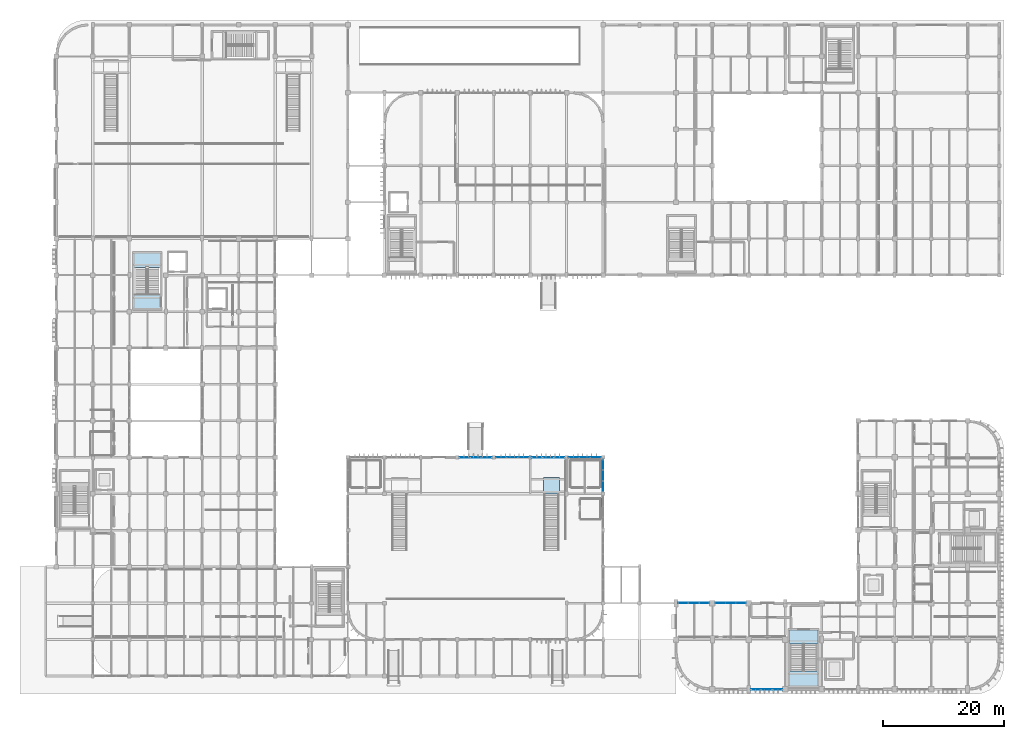
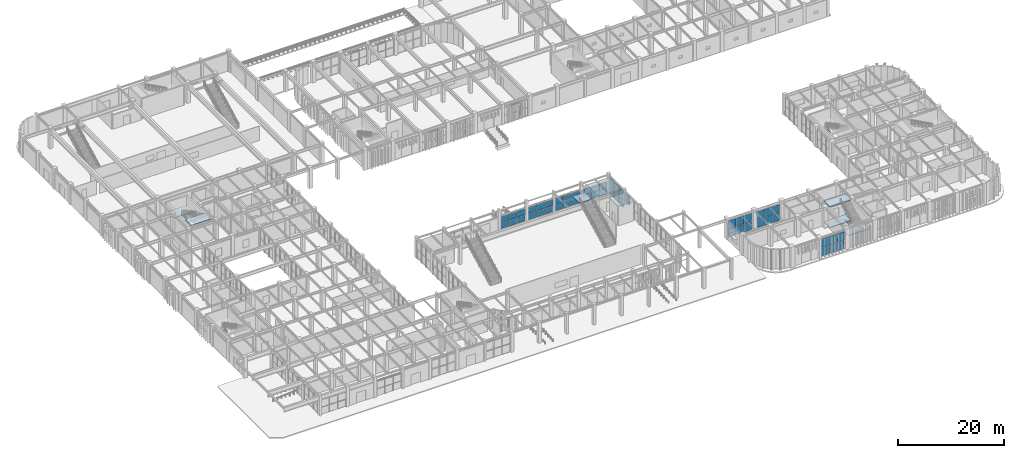
# One storey, part 36 of 76: 49 plates, 6 slabs, 12 elements without a shape of their own.
"""IFC4 building model written with IfcOpenShell, lengths in metres."""

import ifcopenshell
import ifcopenshell.guid

model = None  # the IFC model being written
_history = None  # IfcOwnerHistory: only IFC2X3 demands one
_inside = {}  # id of a spatial element -> (the spatial element, [elements in it])
_under = {}  # id of a project, library or spatial element -> (it, [spatial elements below it])
_declared = {}  # id of a project -> (the project, [libraries it declares])
_typed = {}  # id of a type object -> (the type object, [elements of that type])
_made_of = {}  # id of a material, layer set ... -> (it, [elements and type objects made of it])


def new_model(schema):
    """Start an empty IFC model of exactly this schema.

    Asked for "IFC4X3", IfcOpenShell would pick the latest addendum, in which some entities
    have other attributes; the version numbers below select the first issue.
    IFC2X3 requires an IfcOwnerHistory on every rooted entity: one is made here for all.
    """
    global model, _history
    if schema == "IFC4X3":
        model = ifcopenshell.file(schema_version=(4, 3, 0, 0))
    else:
        model = ifcopenshell.file(schema=schema)
    _inside.clear()
    _under.clear()
    _declared.clear()
    _typed.clear()
    _made_of.clear()
    _history = None
    if model.schema == "IFC2X3":
        org = make("IfcOrganization", Name="unknown")
        user = make(
            "IfcPersonAndOrganization",
            ThePerson=make("IfcPerson", FamilyName="unknown"),
            TheOrganization=org,
        )
        app = make(
            "IfcApplication",
            ApplicationDeveloper=org,
            Version="unknown",
            ApplicationFullName="unknown",
            ApplicationIdentifier="unknown",
        )
        _history = make(
            "IfcOwnerHistory",
            OwningUser=user,
            OwningApplication=app,
            ChangeAction="ADDED",
            CreationDate=0,
        )
    return model


def make(cls, **values):
    """One entity of the class cls with the attributes given. An attribute that is None is left unset."""
    return model.create_entity(
        cls, **{name: value for name, value in values.items() if value is not None}
    )


def rooted(cls, **values):
    """An entity with a GlobalId (a new one), such as an element, a storey or a relation."""
    return make(cls, GlobalId=ifcopenshell.guid.new(), OwnerHistory=_history, **values)


def si_unit(unit_type, name, prefix=None):
    """IfcSIUnit, for example si_unit("LENGTHUNIT", "METRE", prefix="MILLI")."""
    return make("IfcSIUnit", UnitType=unit_type, Prefix=prefix, Name=name)


def assignment(units):
    """IfcUnitAssignment: the units of a project."""
    return None if units is None else make("IfcUnitAssignment", Units=units)


def point(xyz):
    """IfcCartesianPoint."""
    return None if xyz is None else make("IfcCartesianPoint", Coordinates=xyz)


def direction(xyz):
    """IfcDirection."""
    return None if xyz is None else make("IfcDirection", DirectionRatios=xyz)


def frame(location, z_axis=None, x_axis=None):
    """IfcAxis2Placement3D, a coordinate frame: its origin and axes. An axis left out is left unset."""
    return make(
        "IfcAxis2Placement3D",
        Location=point(location),
        Axis=direction(z_axis),
        RefDirection=direction(x_axis),
    )


def frame_2d(location, x_axis=None):
    """IfcAxis2Placement2D, a coordinate frame in the plane: its origin and x axis."""
    return make(
        "IfcAxis2Placement2D", Location=point(location), RefDirection=direction(x_axis)
    )


def origin():
    """The frame at (0, 0, 0) with its axes left unset."""
    return frame((0.0, 0.0, 0.0))


def origin_2d():
    """The frame at (0, 0) in the plane with its x axis left unset."""
    return frame_2d((0.0, 0.0))


def place(relative_to, where):
    """IfcLocalPlacement: puts the frame where relative to a parent placement (None: the world)."""
    return make(
        "IfcLocalPlacement", PlacementRelTo=relative_to, RelativePlacement=where
    )


def context(
    kind, dimensions, precision=None, world=None, true_north=None, identifier=None
):
    """IfcGeometricRepresentationContext, for example the 3D "Model" context."""
    return make(
        "IfcGeometricRepresentationContext",
        ContextIdentifier=identifier,
        ContextType=kind,
        CoordinateSpaceDimension=dimensions,
        Precision=precision,
        WorldCoordinateSystem=world,
        TrueNorth=true_north,
    )


def subcontext(parent, identifier, kind, view, scale=None):
    """IfcGeometricRepresentationSubContext, for example "Body" below "Model"."""
    return make(
        "IfcGeometricRepresentationSubContext",
        ContextIdentifier=identifier,
        ContextType=kind,
        ParentContext=parent,
        TargetScale=scale,
        TargetView=view,
    )


def project(units=None, contexts=None):
    """IfcProject with its units and contexts."""
    return rooted(
        "IfcProject",
        Name="project",
        RepresentationContexts=contexts,
        UnitsInContext=assignment(units),
    )


def spatial(cls, under=None, at=None, **own):
    """A site, building, storey or space (cls), placed at a placement, below another one or the project."""
    s = rooted(cls, ObjectPlacement=at, **own)
    if under is not None:
        _under.setdefault(under.id(), (under, []))[1].append(s)
    return s


def polyline(points):
    """IfcPolyline through the points."""
    return make("IfcPolyline", Points=[point(p) for p in points])


def profile(cls, at=None, kind="AREA", **sizes):
    """A parametric profile (cls). Its sizes go by their IFC names, for example OverallWidth=200.0."""
    return make(cls, ProfileType=kind, Position=at, **sizes)


def rectangle(**sizes):
    """IfcRectangleProfileDef."""
    return profile("IfcRectangleProfileDef", **sizes)


def outline(outer, holes=None, kind="AREA"):
    """IfcArbitraryClosedProfileDef: a profile drawn as a closed curve; with holes, ...WithVoids."""
    if holes is None:
        return make("IfcArbitraryClosedProfileDef", ProfileType=kind, OuterCurve=outer)
    return make(
        "IfcArbitraryProfileDefWithVoids",
        ProfileType=kind,
        OuterCurve=outer,
        InnerCurves=holes,
    )


def extrude(swept, where, along, depth):
    """IfcExtrudedAreaSolid: the profile swept, set in the frame where, extruded along a direction by depth."""
    return make(
        "IfcExtrudedAreaSolid",
        SweptArea=swept,
        Position=where,
        ExtrudedDirection=direction(along),
        Depth=depth,
    )


def shape(context_of_items, identifier, shape_type, items):
    """IfcShapeRepresentation: the items that make up one representation, for example the "Body"."""
    return make(
        "IfcShapeRepresentation",
        ContextOfItems=context_of_items,
        RepresentationIdentifier=identifier,
        RepresentationType=shape_type,
        Items=items,
    )


def material(Name=None, Category=None):
    """IfcMaterial."""
    return make("IfcMaterial", Name=Name, Category=Category)


def layer(
    of_material, thickness, ventilated=None, Name=None, Category=None, Priority=None
):
    """IfcMaterialLayer: one layer of a wall or slab, of a material (None: an air gap)."""
    return make(
        "IfcMaterialLayer",
        Material=of_material,
        LayerThickness=thickness,
        IsVentilated=ventilated,
        Name=Name,
        Category=Category,
        Priority=Priority,
    )


def layer_set(layers, Name=None):
    """IfcMaterialLayerSet."""
    return make("IfcMaterialLayerSet", MaterialLayers=layers, LayerSetName=Name)


def made_of(thing, what):
    """Note that an element or type object is made of a material, layer set ...; save() writes the relation."""
    if what is not None:
        _made_of.setdefault(what.id(), (what, []))[1].append(thing)
    return thing


def type_object(cls, material=None, **own):
    """A type object (cls), such as IfcWallType, which elements share."""
    return made_of(rooted(cls, **own), material)


def element(
    cls,
    number,
    at=None,
    inside=None,
    cuts=None,
    type_object=None,
    material=None,
    context=None,
    identifier="Body",
    shape_type=None,
    held_by="IfcProductDefinitionShape",
    body=None,
    shapes=None,
    **own,
):
    """One element of the class cls, such as IfcWall. Its Tag is "e" and its number.

    at: its placement. inside: the storey or other place that contains it. cuts: it is an
    opening in that element (IfcRelVoidsElement). A single representation is given by context,
    identifier, shape_type and body (its items); several are given by shapes. held_by: the class
    of the entity that holds the representations. save() writes the other relations.
    """
    e = rooted(cls, Tag="e%d" % number, ObjectPlacement=at, **own)
    if body is not None:
        shapes = [shape(context, identifier, shape_type, body)]
    if shapes is not None:
        e.Representation = make(held_by, Representations=shapes)
    if inside is not None:
        _inside.setdefault(inside.id(), (inside, []))[1].append(e)
    if cuts is not None:
        rooted(
            "IfcRelVoidsElement", RelatingBuildingElement=cuts, RelatedOpeningElement=e
        )
    if type_object is not None:
        _typed.setdefault(type_object.id(), (type_object, []))[1].append(e)
    return made_of(e, material)


def aggregate(whole, parts):
    """IfcRelAggregates: a whole, such as a stair, and the parts it consists of."""
    return rooted("IfcRelAggregates", RelatingObject=whole, RelatedObjects=parts)


def save(model, path):
    """Write the relations noted so far, then the file.

    IfcRelAggregates (storeys below a building ...), IfcRelContainedInSpatialStructure (elements
    in a storey), IfcRelDefinesByType, IfcRelAssociatesMaterial and IfcRelDeclares: one each for
    every whole, place, type object, material and project.
    """
    for whole, parts in _under.values():
        aggregate(whole, parts)
    for where, things in _inside.values():
        rooted(
            "IfcRelContainedInSpatialStructure",
            RelatedElements=things,
            RelatingStructure=where,
        )
    for kind, things in _typed.values():
        rooted("IfcRelDefinesByType", RelatedObjects=things, RelatingType=kind)
    for what, things in _made_of.values():
        rooted("IfcRelAssociatesMaterial", RelatedObjects=things, RelatingMaterial=what)
    for by, libraries in _declared.values():
        rooted("IfcRelDeclares", RelatingContext=by, RelatedDefinitions=libraries)
    model.write(path)


model = new_model("IFC4")

# Units and contexts
model_context = context("Model", 3, precision=1e-05, world=origin(), true_north=direction((0.0, 1.0)))
body_context = subcontext(model_context, "Body", "Model", "MODEL_VIEW")
ifc_project = project(units=[si_unit("LENGTHUNIT", "METRE"), si_unit("AREAUNIT", "SQUARE_METRE"), si_unit("VOLUMEUNIT", "CUBIC_METRE"), si_unit("PLANEANGLEUNIT", "RADIAN"), si_unit("MASSUNIT", "GRAM", prefix="KILO")], contexts=[model_context])

# Site, building, storey
site_placement = place(None, origin())
site = spatial("IfcSite", under=ifc_project, at=site_placement, CompositionType="ELEMENT")
building_placement = place(site_placement, origin())
building = spatial("IfcBuilding", under=site, at=building_placement, Name="Varnakota Square Police Headquarters", CompositionType="ELEMENT")
storey_placement = place(building_placement, origin())
storey = spatial("IfcBuildingStorey", under=building, at=storey_placement, Name="L00", CompositionType="ELEMENT", Elevation=0.0)

# Curtain wall, plates
ifc_material_1 = material(Name="Anodised Aluminium Framing", Category="aluminium")
curtain_wall_type_1 = type_object("IfcCurtainWallType", Name="CW-SYS-A", PredefinedType="NOTDEFINED", material=ifc_material_1)
curtain_wall_1_placement = place(storey_placement, origin())
curtain_wall_1 = element("IfcCurtainWall", 1, at=curtain_wall_1_placement, inside=storey, type_object=curtain_wall_type_1, Name="Unitised curtain wall CWG-L00-007", PredefinedType="NOTDEFINED")
ifc_material_2 = material(Name="Solar-Control Laminated Double Glazing", Category="glass")
ifc_layer_1 = layer(ifc_material_2, 0.028076171875, Name="Solar-Control Laminated Double Glazing")
ifc_layer_set_1 = layer_set([ifc_layer_1], Name="Solar-Control Laminated Double Glazing")
plate_type_1 = type_object("IfcPlateType", Name="CWP-GLZ-28", PredefinedType="CURTAIN_PANEL", material=ifc_layer_set_1)
plate_1_placement = place(storey_placement, frame((91.219482421875, 39.0, 0.06494140625), z_axis=(0.0, 0.0, 1.0), x_axis=(1.0, 0.0, 0.0)))
plate_1 = element("IfcPlate", 2, at=plate_1_placement, type_object=plate_type_1, Name="CWG-L00-007 panel 1.1", PredefinedType="CURTAIN_PANEL", context=body_context, shape_type="SweptSolid", body=[
    extrude(rectangle(XDim=1.69921875, YDim=0.028076171875, at=origin_2d()), origin(), (0.0, 0.0, 1.0), 1.3974609375),
])
plate_2_placement = place(storey_placement, frame((93.0, 39.0, 0.06494140625), z_axis=(0.0, 0.0, 1.0), x_axis=(1.0, 0.0, 0.0)))
plate_2 = element("IfcPlate", 3, at=plate_2_placement, type_object=plate_type_1, Name="CWG-L00-007 panel 2.1", PredefinedType="CURTAIN_PANEL", context=body_context, shape_type="SweptSolid", body=[
    extrude(rectangle(XDim=1.731689453125, YDim=0.028076171875, at=origin_2d()), origin(), (0.0, 0.0, 1.0), 1.3974609375),
])
plate_3_placement = place(storey_placement, frame((94.780517578125, 39.0, 0.06494140625), z_axis=(0.0, 0.0, 1.0), x_axis=(1.0, 0.0, 0.0)))
plate_3 = element("IfcPlate", 4, at=plate_3_placement, type_object=plate_type_1, Name="CWG-L00-007 panel 3.1", PredefinedType="CURTAIN_PANEL", context=body_context, shape_type="SweptSolid", body=[
    extrude(rectangle(XDim=1.69921875, YDim=0.028076171875, at=origin_2d()), origin(), (0.0, 0.0, 1.0), 1.3974609375),
])

curtain_wall_2_placement = place(storey_placement, origin())
curtain_wall_2 = element("IfcCurtainWall", 5, at=curtain_wall_2_placement, inside=storey, type_object=curtain_wall_type_1, Name="Unitised curtain wall CWG-L00-015", PredefinedType="NOTDEFINED")
plate_4_placement = place(storey_placement, frame((96.0, 34.22216796875, 0.0751953125), z_axis=(0.0, 0.0, 1.0), x_axis=(0.0, 1.0, 0.0)))
plate_4 = element("IfcPlate", 6, at=plate_4_placement, type_object=plate_type_1, Name="CWG-L00-015 panel 1.1", PredefinedType="CURTAIN_PANEL", context=body_context, shape_type="SweptSolid", body=[
    extrude(rectangle(XDim=1.68408203125, YDim=0.028076171875, at=origin_2d()), origin(), (0.0, 0.0, 1.0), 1.907470703125),
])
plate_5_placement = place(storey_placement, frame((96.0, 36.0, 0.0751953125), z_axis=(0.0, 0.0, 1.0), x_axis=(0.0, 1.0, 0.0)))
plate_5 = element("IfcPlate", 7, at=plate_5_placement, type_object=plate_type_1, Name="CWG-L00-015 panel 2.1", PredefinedType="CURTAIN_PANEL", context=body_context, shape_type="SweptSolid", body=[
    extrude(rectangle(XDim=1.7216796875, YDim=0.028076171875, at=origin_2d()), origin(), (0.0, 0.0, 1.0), 1.907470703125),
])
plate_6_placement = place(storey_placement, frame((96.0, 37.77783203125, 0.0751953125), z_axis=(0.0, 0.0, 1.0), x_axis=(0.0, 1.0, 0.0)))
plate_6 = element("IfcPlate", 8, at=plate_6_placement, type_object=plate_type_1, Name="CWG-L00-015 panel 3.1", PredefinedType="CURTAIN_PANEL", context=body_context, shape_type="SweptSolid", body=[
    extrude(rectangle(XDim=1.68408203125, YDim=0.028076171875, at=origin_2d()), origin(), (0.0, 0.0, 1.0), 1.907470703125),
])

curtain_wall_3_placement = place(storey_placement, origin())
curtain_wall_3 = element("IfcCurtainWall", 9, at=curtain_wall_3_placement, inside=storey, type_object=curtain_wall_type_1, Name="Unitised curtain wall CWG-L00-004", PredefinedType="NOTDEFINED")
ifc_material_3 = material(Name="Acoustic Laminated Double Glazing", Category="glass")
ifc_layer_2 = layer(ifc_material_3, 0.031982421875, Name="Acoustic Laminated Double Glazing")
ifc_layer_set_2 = layer_set([ifc_layer_2], Name="Acoustic Laminated Double Glazing")
plate_type_2 = type_object("IfcPlateType", Name="CWP-GLZ-32", PredefinedType="CURTAIN_PANEL", material=ifc_layer_set_2)
plate_7_placement = place(storey_placement, frame((73.219482421875, 39.0, 0.06494140625), z_axis=(0.0, 0.0, 1.0), x_axis=(1.0, 0.0, 0.0)))
plate_7 = element("IfcPlate", 10, at=plate_7_placement, type_object=plate_type_2, Name="CWG-L00-004 panel 1.1", PredefinedType="CURTAIN_PANEL", context=body_context, shape_type="SweptSolid", body=[
    extrude(rectangle(XDim=1.69921875, YDim=0.031982421875, at=origin_2d()), origin(), (0.0, 0.0, 1.0), 1.37255859375),
])
plate_8_placement = place(storey_placement, frame((75.0, 39.0, 0.06494140625), z_axis=(0.0, 0.0, 1.0), x_axis=(1.0, 0.0, 0.0)))
plate_8 = element("IfcPlate", 11, at=plate_8_placement, type_object=plate_type_2, Name="CWG-L00-004 panel 2.1", PredefinedType="CURTAIN_PANEL", context=body_context, shape_type="SweptSolid", body=[
    extrude(rectangle(XDim=1.731689453125, YDim=0.031982421875, at=origin_2d()), origin(), (0.0, 0.0, 1.0), 1.37255859375),
])
plate_9_placement = place(storey_placement, frame((76.780517578125, 39.0, 0.06494140625), z_axis=(0.0, 0.0, 1.0), x_axis=(1.0, 0.0, 0.0)))
plate_9 = element("IfcPlate", 12, at=plate_9_placement, type_object=plate_type_2, Name="CWG-L00-004 panel 3.1", PredefinedType="CURTAIN_PANEL", context=body_context, shape_type="SweptSolid", body=[
    extrude(rectangle(XDim=1.69921875, YDim=0.031982421875, at=origin_2d()), origin(), (0.0, 0.0, 1.0), 1.37255859375),
])

curtain_wall_4_placement = place(storey_placement, origin())
curtain_wall_4 = element("IfcCurtainWall", 13, at=curtain_wall_4_placement, inside=storey, type_object=curtain_wall_type_1, Name="Unitised curtain wall CWG-L00-005", PredefinedType="NOTDEFINED")
ifc_material_4 = material(Name="Blast-Resistant Laminated Glazing", Category="glass")
ifc_layer_3 = layer(ifc_material_4, 0.035888671875, Name="Blast-Resistant Laminated Glazing")
ifc_layer_set_3 = layer_set([ifc_layer_3], Name="Blast-Resistant Laminated Glazing")
plate_type_3 = type_object("IfcPlateType", Name="CWP-GLZ-36", PredefinedType="CURTAIN_PANEL", material=ifc_layer_set_3)
plate_10_placement = place(storey_placement, frame((79.236328125, 39.0, 0.06494140625), z_axis=(0.0, 0.0, 1.0), x_axis=(1.0, 0.0, 0.0)))
plate_10 = element("IfcPlate", 14, at=plate_10_placement, type_object=plate_type_3, Name="CWG-L00-005 panel 1.1", PredefinedType="CURTAIN_PANEL", context=body_context, shape_type="SweptSolid", body=[
    extrude(rectangle(XDim=1.732421875, YDim=0.035888671875, at=origin_2d()), origin(), (0.0, 0.0, 1.0), 1.3974609375),
])
plate_11_placement = place(storey_placement, frame((81.050048828125, 39.0, 0.06494140625), z_axis=(0.0, 0.0, 1.0), x_axis=(1.0, 0.0, 0.0)))
plate_11 = element("IfcPlate", 15, at=plate_11_placement, type_object=plate_type_3, Name="CWG-L00-005 panel 2.1", PredefinedType="CURTAIN_PANEL", context=body_context, shape_type="SweptSolid", body=[
    extrude(rectangle(XDim=1.764892578125, YDim=0.035888671875, at=origin_2d()), origin(), (0.0, 0.0, 1.0), 1.3974609375),
])
plate_12_placement = place(storey_placement, frame((82.86376953125, 39.0, 0.06494140625), z_axis=(0.0, 0.0, 1.0), x_axis=(1.0, 0.0, 0.0)))
plate_12 = element("IfcPlate", 16, at=plate_12_placement, type_object=plate_type_3, Name="CWG-L00-005 panel 3.1", PredefinedType="CURTAIN_PANEL", context=body_context, shape_type="SweptSolid", body=[
    extrude(rectangle(XDim=1.732421875, YDim=0.035888671875, at=origin_2d()), origin(), (0.0, 0.0, 1.0), 1.3974609375),
])

curtain_wall_type_2 = type_object("IfcCurtainWallType", Name="CW-SYS-D", PredefinedType="NOTDEFINED", material=ifc_material_1)
curtain_wall_5_placement = place(storey_placement, origin())
curtain_wall_5 = element("IfcCurtainWall", 17, at=curtain_wall_5_placement, inside=storey, type_object=curtain_wall_type_2, Name="Unitised curtain wall CWG-L00-049", PredefinedType="NOTDEFINED")
plate_13_placement = place(storey_placement, frame((109.194580078125, 15.0, 0.06494140625), z_axis=(0.0, 0.0, 1.0), x_axis=(1.0, 0.0, 0.0)))
plate_13 = element("IfcPlate", 18, at=plate_13_placement, type_object=plate_type_3, Name="CWG-L00-049 panel 1.1", PredefinedType="CURTAIN_PANEL", context=body_context, shape_type="SweptSolid", body=[
    extrude(rectangle(XDim=1.649169921875, YDim=0.035888671875, at=origin_2d()), origin(), (0.0, 0.0, 1.0), 1.8974609375),
])
plate_14_placement = place(storey_placement, frame((110.925048828125, 15.0, 0.06494140625), z_axis=(0.0, 0.0, 1.0), x_axis=(1.0, 0.0, 0.0)))
plate_14 = element("IfcPlate", 19, at=plate_14_placement, type_object=plate_type_3, Name="CWG-L00-049 panel 2.1", PredefinedType="CURTAIN_PANEL", context=body_context, shape_type="SweptSolid", body=[
    extrude(rectangle(XDim=1.681640625, YDim=0.035888671875, at=origin_2d()), origin(), (0.0, 0.0, 1.0), 1.8974609375),
])
plate_15_placement = place(storey_placement, frame((112.655517578125, 15.0, 0.06494140625), z_axis=(0.0, 0.0, 1.0), x_axis=(1.0, 0.0, 0.0)))
plate_15 = element("IfcPlate", 20, at=plate_15_placement, type_object=plate_type_3, Name="CWG-L00-049 panel 3.1", PredefinedType="CURTAIN_PANEL", context=body_context, shape_type="SweptSolid", body=[
    extrude(rectangle(XDim=1.649169921875, YDim=0.035888671875, at=origin_2d()), origin(), (0.0, 0.0, 1.0), 1.8974609375),
])

curtain_wall_6_placement = place(storey_placement, origin())
curtain_wall_6 = element("IfcCurtainWall", 21, at=curtain_wall_6_placement, inside=storey, type_object=curtain_wall_type_1, Name="Unitised curtain wall CWG-L00-006", PredefinedType="NOTDEFINED")
ifc_material_5 = material(Name="Triple-Glazed Clean-Lab Vision Unit", Category="aluminium")
ifc_layer_4 = layer(ifc_material_5, 0.0419921875, Name="Triple-Glazed Clean-Lab Vision Unit")
ifc_layer_set_4 = layer_set([ifc_layer_4], Name="Triple-Glazed Clean-Lab Vision Unit")
plate_type_4 = type_object("IfcPlateType", Name="CWP-GLZ-42", PredefinedType="CURTAIN_PANEL", material=ifc_layer_set_4)
plate_16_placement = place(storey_placement, frame((85.13623046875, 39.0, 0.06494140625), z_axis=(0.0, 0.0, 1.0), x_axis=(1.0, 0.0, 0.0)))
plate_16 = element("IfcPlate", 22, at=plate_16_placement, type_object=plate_type_4, Name="CWG-L00-006 panel 1.1", PredefinedType="CURTAIN_PANEL", context=body_context, shape_type="SweptSolid", body=[
    extrude(rectangle(XDim=1.732421875, YDim=0.0419921875, at=origin_2d()), origin(), (0.0, 0.0, 1.0), 1.37255859375),
])
plate_17_placement = place(storey_placement, frame((86.949951171875, 39.0, 0.06494140625), z_axis=(0.0, 0.0, 1.0), x_axis=(1.0, 0.0, 0.0)))
plate_17 = element("IfcPlate", 23, at=plate_17_placement, type_object=plate_type_4, Name="CWG-L00-006 panel 2.1", PredefinedType="CURTAIN_PANEL", context=body_context, shape_type="SweptSolid", body=[
    extrude(rectangle(XDim=1.764892578125, YDim=0.0419921875, at=origin_2d()), origin(), (0.0, 0.0, 1.0), 1.37255859375),
])
plate_18_placement = place(storey_placement, frame((88.763671875, 39.0, 0.06494140625), z_axis=(0.0, 0.0, 1.0), x_axis=(1.0, 0.0, 0.0)))
plate_18 = element("IfcPlate", 24, at=plate_18_placement, type_object=plate_type_4, Name="CWG-L00-006 panel 3.1", PredefinedType="CURTAIN_PANEL", context=body_context, shape_type="SweptSolid", body=[
    extrude(rectangle(XDim=1.732421875, YDim=0.0419921875, at=origin_2d()), origin(), (0.0, 0.0, 1.0), 1.37255859375),
])

curtain_wall_type_3 = type_object("IfcCurtainWallType", Name="CW-SYS-B", PredefinedType="NOTDEFINED", material=ifc_material_1)
curtain_wall_7_placement = place(storey_placement, origin())
curtain_wall_7 = element("IfcCurtainWall", 25, at=curtain_wall_7_placement, inside=storey, type_object=curtain_wall_type_3, Name="Unitised curtain wall CWG-L00-046", PredefinedType="NOTDEFINED")
plate_19_placement = place(storey_placement, frame((121.197021484375, 0.800048828125, 0.074951171875), z_axis=(0.0, 0.0, 1.0), x_axis=(1.0, 0.0, 0.0)))
plate_19 = element("IfcPlate", 26, at=plate_19_placement, type_object=plate_type_4, Name="CWG-L00-046 panel 1.1", PredefinedType="CURTAIN_PANEL", context=body_context, shape_type="SweptSolid", body=[
    extrude(rectangle(XDim=1.63427734375, YDim=0.0419921875, at=origin_2d()), origin(), (0.0, 0.0, 1.0), 1.95751953125),
])
plate_20_placement = place(storey_placement, frame((122.925048828125, 0.800048828125, 0.074951171875), z_axis=(0.0, 0.0, 1.0), x_axis=(1.0, 0.0, 0.0)))
plate_20 = element("IfcPlate", 27, at=plate_20_placement, type_object=plate_type_4, Name="CWG-L00-046 panel 2.1", PredefinedType="CURTAIN_PANEL", context=body_context, shape_type="SweptSolid", body=[
    extrude(rectangle(XDim=1.671630859375, YDim=0.0419921875, at=origin_2d()), origin(), (0.0, 0.0, 1.0), 1.95751953125),
])
plate_21_placement = place(storey_placement, frame((124.65283203125, 0.800048828125, 0.074951171875), z_axis=(0.0, 0.0, 1.0), x_axis=(1.0, 0.0, 0.0)))
plate_21 = element("IfcPlate", 28, at=plate_21_placement, type_object=plate_type_4, Name="CWG-L00-046 panel 3.1", PredefinedType="CURTAIN_PANEL", context=body_context, shape_type="SweptSolid", body=[
    extrude(rectangle(XDim=1.63427734375, YDim=0.0419921875, at=origin_2d()), origin(), (0.0, 0.0, 1.0), 1.95751953125),
])

curtain_wall_8_placement = place(storey_placement, origin())
curtain_wall_8 = element("IfcCurtainWall", 29, at=curtain_wall_8_placement, inside=storey, type_object=curtain_wall_type_2, Name="Unitised curtain wall CWG-L00-050", PredefinedType="NOTDEFINED")
plate_22_placement = place(storey_placement, frame((115.319580078125, 15.0, 0.06494140625), z_axis=(0.0, 0.0, 1.0), x_axis=(1.0, 0.0, 0.0)))
plate_22 = element("IfcPlate", 30, at=plate_22_placement, type_object=plate_type_4, Name="CWG-L00-050 panel 1.1", PredefinedType="CURTAIN_PANEL", context=body_context, shape_type="SweptSolid", body=[
    extrude(rectangle(XDim=1.59912109375, YDim=0.0419921875, at=origin_2d()), origin(), (0.0, 0.0, 1.0), 1.847412109375),
])
plate_23_placement = place(storey_placement, frame((117.0, 15.0, 0.06494140625), z_axis=(0.0, 0.0, 1.0), x_axis=(1.0, 0.0, 0.0)))
plate_23 = element("IfcPlate", 31, at=plate_23_placement, type_object=plate_type_4, Name="CWG-L00-050 panel 2.1", PredefinedType="CURTAIN_PANEL", context=body_context, shape_type="SweptSolid", body=[
    extrude(rectangle(XDim=1.631591796875, YDim=0.0419921875, at=origin_2d()), origin(), (0.0, 0.0, 1.0), 1.847412109375),
])
plate_24_placement = place(storey_placement, frame((118.680419921875, 15.0, 0.06494140625), z_axis=(0.0, 0.0, 1.0), x_axis=(1.0, 0.0, 0.0)))
plate_24 = element("IfcPlate", 32, at=plate_24_placement, type_object=plate_type_4, Name="CWG-L00-050 panel 3.1", PredefinedType="CURTAIN_PANEL", context=body_context, shape_type="SweptSolid", body=[
    extrude(rectangle(XDim=1.59912109375, YDim=0.0419921875, at=origin_2d()), origin(), (0.0, 0.0, 1.0), 1.847412109375),
])

# Plate
ifc_material_6 = material(Name="Insulated Anodised Aluminium Spandrel Panel", Category="aluminium")
ifc_layer_5 = layer(ifc_material_6, 0.050048828125, Name="Insulated Anodised Aluminium Spandrel Panel")
ifc_layer_set_5 = layer_set([ifc_layer_5], Name="Insulated Anodised Aluminium Spandrel Panel")
plate_type_5 = type_object("IfcPlateType", Name="CWP-SPN-50", PredefinedType="CURTAIN_PANEL", material=ifc_layer_set_5)
plate_25_placement = place(storey_placement, frame((79.236328125, 39.0, 1.527587890625), z_axis=(0.0, 0.0, 1.0), x_axis=(1.0, 0.0, 0.0)))
plate_25 = element("IfcPlate", 33, at=plate_25_placement, type_object=plate_type_5, Name="CWG-L00-005 panel 1.2", PredefinedType="CURTAIN_PANEL", context=body_context, shape_type="SweptSolid", body=[
    extrude(rectangle(XDim=1.732421875, YDim=0.050048828125, at=origin_2d()), origin(), (0.0, 0.0, 1.0), 1.3974609375),
])

plate_26_placement = place(storey_placement, frame((81.050048828125, 39.0, 1.527587890625), z_axis=(0.0, 0.0, 1.0), x_axis=(1.0, 0.0, 0.0)))
plate_26 = element("IfcPlate", 34, at=plate_26_placement, type_object=plate_type_5, Name="CWG-L00-005 panel 2.2", PredefinedType="CURTAIN_PANEL", context=body_context, shape_type="SweptSolid", body=[
    extrude(rectangle(XDim=1.764892578125, YDim=0.050048828125, at=origin_2d()), origin(), (0.0, 0.0, 1.0), 1.3974609375),
])

plate_27_placement = place(storey_placement, frame((82.86376953125, 39.0, 1.527587890625), z_axis=(0.0, 0.0, 1.0), x_axis=(1.0, 0.0, 0.0)))
plate_27 = element("IfcPlate", 35, at=plate_27_placement, type_object=plate_type_5, Name="CWG-L00-005 panel 3.2", PredefinedType="CURTAIN_PANEL", context=body_context, shape_type="SweptSolid", body=[
    extrude(rectangle(XDim=1.732421875, YDim=0.050048828125, at=origin_2d()), origin(), (0.0, 0.0, 1.0), 1.3974609375),
])

aggregate(curtain_wall_4, [plate_10, plate_25, plate_11, plate_26, plate_12, plate_27])

plate_28_placement = place(storey_placement, frame((91.219482421875, 39.0, 1.527587890625), z_axis=(0.0, 0.0, 1.0), x_axis=(1.0, 0.0, 0.0)))
plate_28 = element("IfcPlate", 36, at=plate_28_placement, type_object=plate_type_5, Name="CWG-L00-007 panel 1.2", PredefinedType="CURTAIN_PANEL", context=body_context, shape_type="SweptSolid", body=[
    extrude(rectangle(XDim=1.69921875, YDim=0.050048828125, at=origin_2d()), origin(), (0.0, 0.0, 1.0), 1.3974609375),
])

plate_29_placement = place(storey_placement, frame((93.0, 39.0, 1.527587890625), z_axis=(0.0, 0.0, 1.0), x_axis=(1.0, 0.0, 0.0)))
plate_29 = element("IfcPlate", 37, at=plate_29_placement, type_object=plate_type_5, Name="CWG-L00-007 panel 2.2", PredefinedType="CURTAIN_PANEL", context=body_context, shape_type="SweptSolid", body=[
    extrude(rectangle(XDim=1.731689453125, YDim=0.050048828125, at=origin_2d()), origin(), (0.0, 0.0, 1.0), 1.3974609375),
])

plate_30_placement = place(storey_placement, frame((94.780517578125, 39.0, 1.527587890625), z_axis=(0.0, 0.0, 1.0), x_axis=(1.0, 0.0, 0.0)))
plate_30 = element("IfcPlate", 38, at=plate_30_placement, type_object=plate_type_5, Name="CWG-L00-007 panel 3.2", PredefinedType="CURTAIN_PANEL", context=body_context, shape_type="SweptSolid", body=[
    extrude(rectangle(XDim=1.69921875, YDim=0.050048828125, at=origin_2d()), origin(), (0.0, 0.0, 1.0), 1.3974609375),
])

aggregate(curtain_wall_1, [plate_1, plate_28, plate_2, plate_29, plate_3, plate_30])

# Curtain wall, plate
curtain_wall_9_placement = place(storey_placement, origin())
curtain_wall_9 = element("IfcCurtainWall", 39, at=curtain_wall_9_placement, inside=storey, type_object=curtain_wall_type_1, Name="Unitised curtain wall CWG-L00-013", PredefinedType="NOTDEFINED")
plate_31_placement = place(storey_placement, frame((96.0, 31.788818359375, 2.027587890625), z_axis=(0.0, 0.0, 1.0), x_axis=(0.0, 1.0, 0.0)))
plate_31 = element("IfcPlate", 40, at=plate_31_placement, type_object=plate_type_5, Name="CWG-L00-013 panel 3.2", PredefinedType="CURTAIN_PANEL", context=body_context, shape_type="SweptSolid", body=[
    extrude(rectangle(XDim=1.6826171875, YDim=0.050048828125, at=origin_2d()), origin(), (0.0, 0.0, 1.0), 1.8974609375),
])
aggregate(curtain_wall_9, [plate_31])

# Plate
plate_32_placement = place(storey_placement, frame((96.0, 34.22216796875, 2.0576171875), z_axis=(0.0, 0.0, 1.0), x_axis=(0.0, 1.0, 0.0)))
plate_32 = element("IfcPlate", 41, at=plate_32_placement, type_object=plate_type_5, Name="CWG-L00-015 panel 1.2", PredefinedType="CURTAIN_PANEL", context=body_context, shape_type="SweptSolid", body=[
    extrude(rectangle(XDim=1.68408203125, YDim=0.050048828125, at=origin_2d()), origin(), (0.0, 0.0, 1.0), 1.907470703125),
])

plate_33_placement = place(storey_placement, frame((96.0, 36.0, 2.0576171875), z_axis=(0.0, 0.0, 1.0), x_axis=(0.0, 1.0, 0.0)))
plate_33 = element("IfcPlate", 42, at=plate_33_placement, type_object=plate_type_5, Name="CWG-L00-015 panel 2.2", PredefinedType="CURTAIN_PANEL", context=body_context, shape_type="SweptSolid", body=[
    extrude(rectangle(XDim=1.7216796875, YDim=0.050048828125, at=origin_2d()), origin(), (0.0, 0.0, 1.0), 1.907470703125),
])

plate_34_placement = place(storey_placement, frame((96.0, 37.77783203125, 2.0576171875), z_axis=(0.0, 0.0, 1.0), x_axis=(0.0, 1.0, 0.0)))
plate_34 = element("IfcPlate", 43, at=plate_34_placement, type_object=plate_type_5, Name="CWG-L00-015 panel 3.2", PredefinedType="CURTAIN_PANEL", context=body_context, shape_type="SweptSolid", body=[
    extrude(rectangle(XDim=1.68408203125, YDim=0.050048828125, at=origin_2d()), origin(), (0.0, 0.0, 1.0), 1.907470703125),
])

aggregate(curtain_wall_2, [plate_4, plate_32, plate_5, plate_33, plate_6, plate_34])

plate_35_placement = place(storey_placement, frame((109.194580078125, 15.0, 2.027587890625), z_axis=(0.0, 0.0, 1.0), x_axis=(1.0, 0.0, 0.0)))
plate_35 = element("IfcPlate", 44, at=plate_35_placement, type_object=plate_type_5, Name="CWG-L00-049 panel 1.2", PredefinedType="CURTAIN_PANEL", context=body_context, shape_type="SweptSolid", body=[
    extrude(rectangle(XDim=1.649169921875, YDim=0.050048828125, at=origin_2d()), origin(), (0.0, 0.0, 1.0), 1.8974609375),
])

plate_36_placement = place(storey_placement, frame((110.925048828125, 15.0, 2.027587890625), z_axis=(0.0, 0.0, 1.0), x_axis=(1.0, 0.0, 0.0)))
plate_36 = element("IfcPlate", 45, at=plate_36_placement, type_object=plate_type_5, Name="CWG-L00-049 panel 2.2", PredefinedType="CURTAIN_PANEL", context=body_context, shape_type="SweptSolid", body=[
    extrude(rectangle(XDim=1.681640625, YDim=0.050048828125, at=origin_2d()), origin(), (0.0, 0.0, 1.0), 1.8974609375),
])

plate_37_placement = place(storey_placement, frame((112.655517578125, 15.0, 2.027587890625), z_axis=(0.0, 0.0, 1.0), x_axis=(1.0, 0.0, 0.0)))
plate_37 = element("IfcPlate", 46, at=plate_37_placement, type_object=plate_type_5, Name="CWG-L00-049 panel 3.2", PredefinedType="CURTAIN_PANEL", context=body_context, shape_type="SweptSolid", body=[
    extrude(rectangle(XDim=1.649169921875, YDim=0.050048828125, at=origin_2d()), origin(), (0.0, 0.0, 1.0), 1.8974609375),
])

aggregate(curtain_wall_5, [plate_13, plate_35, plate_14, plate_36, plate_15, plate_37])

ifc_material_7 = material(Name="Fire-Stopped Mineral-Wool Spandrel Panel", Category="aluminium")
ifc_layer_6 = layer(ifc_material_7, 0.06005859375, Name="Fire-Stopped Mineral-Wool Spandrel Panel")
ifc_layer_set_6 = layer_set([ifc_layer_6], Name="Fire-Stopped Mineral-Wool Spandrel Panel")
plate_type_6 = type_object("IfcPlateType", Name="CWP-SPN-60", PredefinedType="CURTAIN_PANEL", material=ifc_layer_set_6)
plate_38_placement = place(storey_placement, frame((73.219482421875, 39.0, 1.50244140625), z_axis=(0.0, 0.0, 1.0), x_axis=(1.0, 0.0, 0.0)))
plate_38 = element("IfcPlate", 47, at=plate_38_placement, type_object=plate_type_6, Name="CWG-L00-004 panel 1.2", PredefinedType="CURTAIN_PANEL", context=body_context, shape_type="SweptSolid", body=[
    extrude(rectangle(XDim=1.69921875, YDim=0.06005859375, at=origin_2d()), origin(), (0.0, 0.0, 1.0), 1.37255859375),
])

plate_39_placement = place(storey_placement, frame((75.0, 39.0, 1.50244140625), z_axis=(0.0, 0.0, 1.0), x_axis=(1.0, 0.0, 0.0)))
plate_39 = element("IfcPlate", 48, at=plate_39_placement, type_object=plate_type_6, Name="CWG-L00-004 panel 2.2", PredefinedType="CURTAIN_PANEL", context=body_context, shape_type="SweptSolid", body=[
    extrude(rectangle(XDim=1.731689453125, YDim=0.06005859375, at=origin_2d()), origin(), (0.0, 0.0, 1.0), 1.37255859375),
])

plate_40_placement = place(storey_placement, frame((76.780517578125, 39.0, 1.50244140625), z_axis=(0.0, 0.0, 1.0), x_axis=(1.0, 0.0, 0.0)))
plate_40 = element("IfcPlate", 49, at=plate_40_placement, type_object=plate_type_6, Name="CWG-L00-004 panel 3.2", PredefinedType="CURTAIN_PANEL", context=body_context, shape_type="SweptSolid", body=[
    extrude(rectangle(XDim=1.69921875, YDim=0.06005859375, at=origin_2d()), origin(), (0.0, 0.0, 1.0), 1.37255859375),
])

aggregate(curtain_wall_3, [plate_7, plate_38, plate_8, plate_39, plate_9, plate_40])

plate_41_placement = place(storey_placement, frame((85.13623046875, 39.0, 1.50244140625), z_axis=(0.0, 0.0, 1.0), x_axis=(1.0, 0.0, 0.0)))
plate_41 = element("IfcPlate", 50, at=plate_41_placement, type_object=plate_type_6, Name="CWG-L00-006 panel 1.2", PredefinedType="CURTAIN_PANEL", context=body_context, shape_type="SweptSolid", body=[
    extrude(rectangle(XDim=1.732421875, YDim=0.06005859375, at=origin_2d()), origin(), (0.0, 0.0, 1.0), 1.37255859375),
])

plate_42_placement = place(storey_placement, frame((86.949951171875, 39.0, 1.50244140625), z_axis=(0.0, 0.0, 1.0), x_axis=(1.0, 0.0, 0.0)))
plate_42 = element("IfcPlate", 51, at=plate_42_placement, type_object=plate_type_6, Name="CWG-L00-006 panel 2.2", PredefinedType="CURTAIN_PANEL", context=body_context, shape_type="SweptSolid", body=[
    extrude(rectangle(XDim=1.764892578125, YDim=0.06005859375, at=origin_2d()), origin(), (0.0, 0.0, 1.0), 1.37255859375),
])

plate_43_placement = place(storey_placement, frame((88.763671875, 39.0, 1.50244140625), z_axis=(0.0, 0.0, 1.0), x_axis=(1.0, 0.0, 0.0)))
plate_43 = element("IfcPlate", 52, at=plate_43_placement, type_object=plate_type_6, Name="CWG-L00-006 panel 3.2", PredefinedType="CURTAIN_PANEL", context=body_context, shape_type="SweptSolid", body=[
    extrude(rectangle(XDim=1.732421875, YDim=0.06005859375, at=origin_2d()), origin(), (0.0, 0.0, 1.0), 1.37255859375),
])

aggregate(curtain_wall_6, [plate_16, plate_41, plate_17, plate_42, plate_18, plate_43])

plate_44_placement = place(storey_placement, frame((121.197021484375, 0.800048828125, 2.107421875), z_axis=(0.0, 0.0, 1.0), x_axis=(1.0, 0.0, 0.0)))
plate_44 = element("IfcPlate", 53, at=plate_44_placement, type_object=plate_type_6, Name="CWG-L00-046 panel 1.2", PredefinedType="CURTAIN_PANEL", context=body_context, shape_type="SweptSolid", body=[
    extrude(rectangle(XDim=1.63427734375, YDim=0.06005859375, at=origin_2d()), origin(), (0.0, 0.0, 1.0), 1.95751953125),
])

plate_45_placement = place(storey_placement, frame((122.925048828125, 0.800048828125, 2.107421875), z_axis=(0.0, 0.0, 1.0), x_axis=(1.0, 0.0, 0.0)))
plate_45 = element("IfcPlate", 54, at=plate_45_placement, type_object=plate_type_6, Name="CWG-L00-046 panel 2.2", PredefinedType="CURTAIN_PANEL", context=body_context, shape_type="SweptSolid", body=[
    extrude(rectangle(XDim=1.671630859375, YDim=0.06005859375, at=origin_2d()), origin(), (0.0, 0.0, 1.0), 1.95751953125),
])

plate_46_placement = place(storey_placement, frame((124.65283203125, 0.800048828125, 2.107421875), z_axis=(0.0, 0.0, 1.0), x_axis=(1.0, 0.0, 0.0)))
plate_46 = element("IfcPlate", 55, at=plate_46_placement, type_object=plate_type_6, Name="CWG-L00-046 panel 3.2", PredefinedType="CURTAIN_PANEL", context=body_context, shape_type="SweptSolid", body=[
    extrude(rectangle(XDim=1.63427734375, YDim=0.06005859375, at=origin_2d()), origin(), (0.0, 0.0, 1.0), 1.95751953125),
])

aggregate(curtain_wall_7, [plate_19, plate_44, plate_20, plate_45, plate_21, plate_46])

plate_47_placement = place(storey_placement, frame((115.319580078125, 15.0, 1.9775390625), z_axis=(0.0, 0.0, 1.0), x_axis=(1.0, 0.0, 0.0)))
plate_47 = element("IfcPlate", 56, at=plate_47_placement, type_object=plate_type_6, Name="CWG-L00-050 panel 1.2", PredefinedType="CURTAIN_PANEL", context=body_context, shape_type="SweptSolid", body=[
    extrude(rectangle(XDim=1.59912109375, YDim=0.06005859375, at=origin_2d()), origin(), (0.0, 0.0, 1.0), 1.847412109375),
])

plate_48_placement = place(storey_placement, frame((117.0, 15.0, 1.9775390625), z_axis=(0.0, 0.0, 1.0), x_axis=(1.0, 0.0, 0.0)))
plate_48 = element("IfcPlate", 57, at=plate_48_placement, type_object=plate_type_6, Name="CWG-L00-050 panel 2.2", PredefinedType="CURTAIN_PANEL", context=body_context, shape_type="SweptSolid", body=[
    extrude(rectangle(XDim=1.631591796875, YDim=0.06005859375, at=origin_2d()), origin(), (0.0, 0.0, 1.0), 1.847412109375),
])

plate_49_placement = place(storey_placement, frame((118.680419921875, 15.0, 1.9775390625), z_axis=(0.0, 0.0, 1.0), x_axis=(1.0, 0.0, 0.0)))
plate_49 = element("IfcPlate", 58, at=plate_49_placement, type_object=plate_type_6, Name="CWG-L00-050 panel 3.2", PredefinedType="CURTAIN_PANEL", context=body_context, shape_type="SweptSolid", body=[
    extrude(rectangle(XDim=1.59912109375, YDim=0.06005859375, at=origin_2d()), origin(), (0.0, 0.0, 1.0), 1.847412109375),
])

aggregate(curtain_wall_8, [plate_22, plate_47, plate_23, plate_48, plate_24, plate_49])

# Stair, slab
ifc_material_8 = material(Name="Precast concrete M40", Category="concrete")
stair_type_1 = type_object("IfcStairType", Name="STR-FEAT-2400", PredefinedType="STRAIGHT_RUN_STAIR", material=ifc_material_8)
stair_1_placement = place(storey_placement, origin())
stair_1 = element("IfcStair", 59, at=stair_1_placement, inside=storey, type_object=stair_type_1, Name="Civic feature straight-run stair ST-CIV2", PredefinedType="STRAIGHT_RUN_STAIR")
ifc_layer_7 = layer(ifc_material_8, 0.174072265625, Name="Precast concrete M40")
ifc_layer_set_7 = layer_set([ifc_layer_7], Name="Precast concrete M40")
slab_type_1 = type_object("IfcSlabType", Name="SLB-FLND-2400", PredefinedType="LANDING", material=ifc_layer_set_7)
slab_1_placement = place(storey_placement, frame((0.0, 0.0, 4.6259765625)))
slab_1 = element("IfcSlab", 60, at=slab_1_placement, type_object=slab_type_1, Name="ST-CIV2 landing 1", PredefinedType="LANDING", context=body_context, shape_type="SweptSolid", body=[
    extrude(outline(polyline([(86.14990234375, 33.0), (88.85009765625, 33.0), (88.85009765625, 35.699951171875), (86.14990234375, 35.699951171875), (86.14990234375, 33.0)])), origin(), (0.0, 0.0, 1.0), 0.174072265625),
])
aggregate(stair_1, [slab_1])

# Stair, slabs
ifc_material_9 = material(Name="Concrete M40", Category="concrete")
stair_type_2 = type_object("IfcStairType", Name="STR-DOG-1850", PredefinedType="USERDEFINED", material=ifc_material_9)
stair_2_placement = place(storey_placement, origin())
stair_2 = element("IfcStair", 61, at=stair_2_placement, inside=storey, type_object=stair_type_2, Name="Protected exit stair ST5 (L00)", ObjectType="TWO_RETURN_STAIR", PredefinedType="USERDEFINED")
ifc_layer_8 = layer(ifc_material_9, 0.157958984375, Name="Concrete M40")
ifc_layer_set_8 = layer_set([ifc_layer_8], Name="Concrete M40")
slab_type_2 = type_object("IfcSlabType", Name="SLB-LND-1850", PredefinedType="LANDING", material=ifc_layer_set_8)
slab_2_placement = place(storey_placement, frame((0.0, 0.0, 2.241943359375)))
slab_2 = element("IfcSlab", 62, at=slab_2_placement, type_object=slab_type_2, Name="ST5-L00 landing 1", PredefinedType="LANDING", context=body_context, shape_type="SweptSolid", body=[
    extrude(outline(polyline([(18.760009765625, 70.250732421875), (23.139892578125, 70.250732421875), (23.139892578125, 72.639892578125), (18.760009765625, 72.639892578125), (18.760009765625, 70.250732421875)])), origin(), (0.0, 0.0, 1.0), 0.157958984375),
])
slab_3_placement = place(storey_placement, frame((0.0, 0.0, 4.64208984375)))
slab_3 = element("IfcSlab", 63, at=slab_3_placement, type_object=slab_type_2, Name="ST5-L00 landing 2", PredefinedType="LANDING", context=body_context, shape_type="SweptSolid", body=[
    extrude(outline(polyline([(18.760009765625, 63.4599609375), (23.139892578125, 63.4599609375), (23.139892578125, 65.75), (18.760009765625, 65.75), (18.760009765625, 63.4599609375)])), origin(), (0.0, 0.0, 1.0), 0.157958984375),
])
aggregate(stair_2, [slab_2, slab_3])

stair_type_3 = type_object("IfcStairType", Name="STR-DOG-2000", PredefinedType="USERDEFINED", material=ifc_material_9)
stair_3_placement = place(storey_placement, origin())
stair_3 = element("IfcStair", 64, at=stair_3_placement, inside=storey, type_object=stair_type_3, Name="Protected exit stair ST1 (L00)", ObjectType="TWO_RETURN_STAIR", PredefinedType="USERDEFINED")
ifc_layer_9 = layer(ifc_material_9, 0.166015625, Name="Concrete M40")
ifc_layer_set_9 = layer_set([ifc_layer_9], Name="Concrete M40")
slab_type_3 = type_object("IfcSlabType", Name="SLB-LND-2000", PredefinedType="LANDING", material=ifc_layer_set_9)
slab_4_placement = place(storey_placement, frame((0.0, 0.0, 2.23388671875)))
slab_4 = element("IfcSlab", 65, at=slab_4_placement, type_object=slab_type_3, Name="ST1-L00 landing 1", PredefinedType="LANDING", context=body_context, shape_type="SweptSolid", body=[
    extrude(outline(polyline([(126.659912109375, 1.31005859375), (131.340087890625, 1.31005859375), (131.340087890625, 3.79931640625), (126.659912109375, 3.79931640625), (126.659912109375, 1.31005859375)])), origin(), (0.0, 0.0, 1.0), 0.166015625),
])
slab_5_placement = place(storey_placement, frame((0.0, 0.0, 4.634033203125)))
slab_5 = element("IfcSlab", 66, at=slab_5_placement, type_object=slab_type_3, Name="ST1-L00 landing 2", PredefinedType="LANDING", context=body_context, shape_type="SweptSolid", body=[
    extrude(outline(polyline([(126.659912109375, 8.300048828125), (131.340087890625, 8.300048828125), (131.340087890625, 10.590087890625), (126.659912109375, 10.590087890625), (126.659912109375, 8.300048828125)])), origin(), (0.0, 0.0, 1.0), 0.166015625),
])
slab_6_placement = place(storey_placement, frame((0.0, 0.0, -0.166015625)))
slab_6 = element("IfcSlab", 67, at=slab_6_placement, type_object=slab_type_3, Name="ST1-L00 landing 3", PredefinedType="LANDING", context=body_context, shape_type="SweptSolid", body=[
    extrude(outline(polyline([(126.659912109375, 8.300048828125), (131.340087890625, 8.300048828125), (131.340087890625, 10.590087890625), (126.659912109375, 10.590087890625), (126.659912109375, 8.300048828125)])), origin(), (0.0, 0.0, 1.0), 0.166015625),
])
aggregate(stair_3, [slab_4, slab_5, slab_6])

save(model, "model.ifc")
